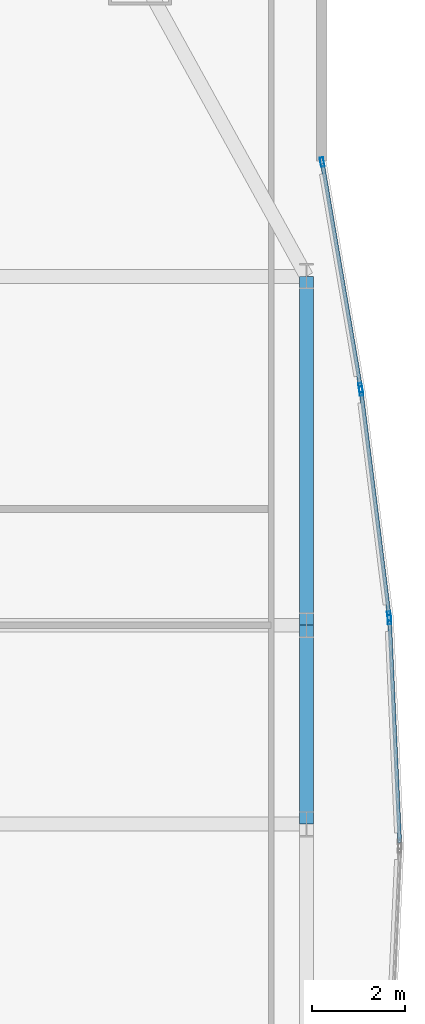
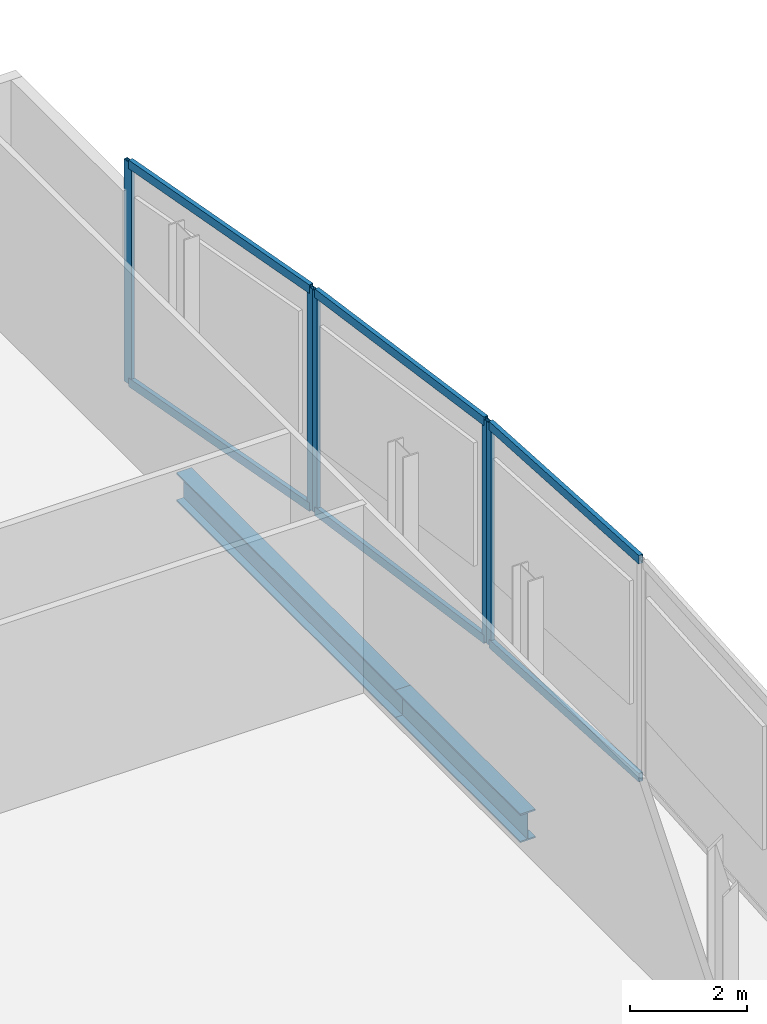
# One storey, part 22 of 30: 11 members, 2 beams, 3 elements without a shape of their own.
"""IFC4 building model written with IfcOpenShell, lengths in metres."""

from ifc_helpers import new_model, si_unit, direction, frame, origin, origin_2d, place, context, subcontext, project, spatial, hollow_rectangle, i_section, extrude, material, material_profile, profile_set, type_object, element, aggregate, save


model = new_model("IFC4")

# Units and contexts
model_context = context("Model", 3, precision=1e-05, world=origin(), true_north=direction((0.0, 1.0)))
body_context = subcontext(model_context, "Body", "Model", "MODEL_VIEW")
ifc_project = project(units=[si_unit("LENGTHUNIT", "METRE"), si_unit("AREAUNIT", "SQUARE_METRE"), si_unit("VOLUMEUNIT", "CUBIC_METRE"), si_unit("PLANEANGLEUNIT", "RADIAN"), si_unit("MASSUNIT", "GRAM", prefix="KILO")], contexts=[model_context])

# Site, building, storey
site_placement = place(None, origin())
site = spatial("IfcSite", under=ifc_project, at=site_placement, CompositionType="ELEMENT")
building_placement = place(site_placement, origin())
building = spatial("IfcBuilding", under=site, at=building_placement, Name="Khoronbel Lancet Exchange", CompositionType="ELEMENT")
storey_placement = place(building_placement, frame((0.0, 0.0, 172.199951171875)))
storey = spatial("IfcBuildingStorey", under=building, at=storey_placement, Name="L43", CompositionType="ELEMENT", Elevation=172.199951171875)

# Beams
ifc_material_1 = material(Name="Steel S355", Category="steel")
ifc_material_profile_1 = material_profile(ifc_material_1, i_section(OverallWidth=0.300048828125, OverallDepth=0.60009765625, WebThickness=0.015380859375, FlangeThickness=0.030029296875, at=origin_2d()), Name="HEB 600")
ifc_profile_set_1 = profile_set([ifc_material_profile_1], Name="Steel S355")
beam_type = type_object("IfcBeamType", Name="BM-BSP2", PredefinedType="SPANDREL", material=ifc_profile_set_1)
beam_1_placement = place(storey_placement, frame((67.6298828125, 31.425048828125, -0.52001953125), z_axis=(0.0, 1.0, 0.0), x_axis=(-1.0, 0.0, 0.0)))
element("IfcBeam", 1, at=beam_1_placement, inside=storey, type_object=beam_type, Name="Level L43 perimeter spandrel beam SP13", PredefinedType="SPANDREL", context=body_context, shape_type="SweptSolid", body=[
    extrude(i_section(OverallWidth=0.300048828125, OverallDepth=0.60009765625, WebThickness=0.015380859375, FlangeThickness=0.030029296875, at=origin_2d()), origin(), (0.0, 0.0, 1.0), 4.27490234375),
])
beam_2_placement = place(storey_placement, frame((67.6298828125, 35.699951171875, -0.52001953125), z_axis=(0.0, 1.0, 0.0), x_axis=(-1.0, 0.0, 0.0)))
element("IfcBeam", 2, at=beam_2_placement, inside=storey, type_object=beam_type, Name="Level L43 perimeter spandrel beam SP14", PredefinedType="SPANDREL", context=body_context, shape_type="SweptSolid", body=[
    extrude(i_section(OverallWidth=0.300048828125, OverallDepth=0.60009765625, WebThickness=0.015380859375, FlangeThickness=0.030029296875, at=origin_2d()), origin(), (0.0, 0.0, 1.0), 7.5),
])

# Curtain wall, members
ifc_material_2 = material(Name="Low-E Solar Control Insulating Glass", Category="glass")
curtain_wall_type = type_object("IfcCurtainWallType", Name="CW-4", PredefinedType="NOTDEFINED", material=ifc_material_2)
curtain_wall_1_placement = place(storey_placement, origin())
curtain_wall_1 = element("IfcCurtainWall", 3, at=curtain_wall_1_placement, inside=storey, type_object=curtain_wall_type, Name="Unitised curtain wall CW-L43-E17", PredefinedType="NOTDEFINED")
ifc_material_3 = material(Name="Bronze-Anodised Aluminium 6063-T6", Category="aluminium")
ifc_material_profile_2 = material_profile(ifc_material_3, hollow_rectangle(XDim=0.074951171875, YDim=0.199951171875, WallThickness=0.0048828125, at=origin_2d()), Name="ALU MULLION 75x200")
ifc_profile_set_2 = profile_set([ifc_material_profile_2], Name="Bronze-Anodised Aluminium 6063-T6")
member_type_1 = type_object("IfcMemberType", Name="MEM-CWM2", PredefinedType="MULLION", material=ifc_profile_set_2)
member_1_placement = place(storey_placement, frame((67.96630859375, 45.655517578125, 0.0), z_axis=(0.0, 0.0, 1.0), x_axis=(0.985785410135, 0.168009300828, 0.0)))
member_1 = element("IfcMember", 4, at=member_1_placement, type_object=member_type_1, Name="CW4 mullion 1", PredefinedType="MULLION", context=body_context, shape_type="SweptSolid", body=[
    extrude(hollow_rectangle(XDim=0.074951171875, YDim=0.199951171875, WallThickness=0.0048828125, at=origin_2d()), origin(), (0.0, 0.0, 1.0), 4.64013671875),
])
member_2_placement = place(storey_placement, frame((68.79248046875, 40.80712890625, 0.0), z_axis=(0.0, 0.0, 1.0), x_axis=(0.985785410135, 0.168009300828, 0.0)))
member_2 = element("IfcMember", 5, at=member_2_placement, type_object=member_type_1, Name="CW4 mullion 2", PredefinedType="MULLION", context=body_context, shape_type="SweptSolid", body=[
    extrude(hollow_rectangle(XDim=0.074951171875, YDim=0.199951171875, WallThickness=0.0048828125, at=origin_2d()), origin(), (0.0, 0.0, 1.0), 4.64013671875),
])

curtain_wall_2_placement = place(storey_placement, origin())
curtain_wall_2 = element("IfcCurtainWall", 6, at=curtain_wall_2_placement, inside=storey, type_object=curtain_wall_type, Name="Unitised curtain wall CW-L43-E18", PredefinedType="NOTDEFINED")
member_3_placement = place(storey_placement, frame((68.803466796875, 40.73291015625, 0.0), z_axis=(0.0, 0.0, 1.0), x_axis=(0.992302414475, 0.123838274483, 0.0)))
member_3 = element("IfcMember", 7, at=member_3_placement, type_object=member_type_1, Name="CW4 mullion 1", PredefinedType="MULLION", context=body_context, shape_type="SweptSolid", body=[
    extrude(hollow_rectangle(XDim=0.074951171875, YDim=0.199951171875, WallThickness=0.0048828125, at=origin_2d()), origin(), (0.0, 0.0, 1.0), 4.64013671875),
])
member_4_placement = place(storey_placement, frame((69.4072265625, 35.896240234375, 0.0), z_axis=(0.0, 0.0, 1.0), x_axis=(0.992302414475, 0.123838274483, 0.0)))
member_4 = element("IfcMember", 8, at=member_4_placement, type_object=member_type_1, Name="CW4 mullion 2", PredefinedType="MULLION", context=body_context, shape_type="SweptSolid", body=[
    extrude(hollow_rectangle(XDim=0.074951171875, YDim=0.199951171875, WallThickness=0.0048828125, at=origin_2d()), origin(), (0.0, 0.0, 1.0), 4.64013671875),
])

# Curtain wall, member
curtain_wall_3_placement = place(storey_placement, origin())
curtain_wall_3 = element("IfcCurtainWall", 9, at=curtain_wall_3_placement, inside=storey, type_object=curtain_wall_type, Name="Unitised curtain wall CW-L43-E19", PredefinedType="NOTDEFINED")
member_5_placement = place(storey_placement, frame((69.41357421875, 35.821533203125, 0.0), z_axis=(0.0, 0.0, 1.0), x_axis=(0.998959668299, 0.045602424407, 0.0)))
member_5 = element("IfcMember", 10, at=member_5_placement, type_object=member_type_1, Name="CW4 mullion 1", PredefinedType="MULLION", context=body_context, shape_type="SweptSolid", body=[
    extrude(hollow_rectangle(XDim=0.074951171875, YDim=0.199951171875, WallThickness=0.0048828125, at=origin_2d()), origin(), (0.0, 0.0, 1.0), 4.64013671875),
])

# Member
ifc_material_profile_3 = material_profile(ifc_material_3, hollow_rectangle(XDim=0.0849609375, YDim=0.179931640625, WallThickness=0.0048828125, at=origin_2d()), Name="ALU TRANSOM 85x180")
ifc_profile_set_3 = profile_set([ifc_material_profile_3], Name="Bronze-Anodised Aluminium 6063-T6")
member_type_2 = type_object("IfcMemberType", Name="MEM-CWT1", PredefinedType="USERDEFINED", material=ifc_profile_set_3)
member_6_placement = place(storey_placement, frame((67.97265625, 45.618408203125, 0.04248046875), z_axis=(0.168019284112, -0.985783708613, 0.0), x_axis=(0.985783708613, 0.168019284112, 0.0)))
member_6 = element("IfcMember", 11, at=member_6_placement, type_object=member_type_2, Name="CW4 transom 1.1", ObjectType="TRANSOM", PredefinedType="USERDEFINED", context=body_context, shape_type="SweptSolid", body=[
    extrude(hollow_rectangle(XDim=0.0849609375, YDim=0.179931640625, WallThickness=0.0048828125, at=origin_2d()), origin(), (0.0, 0.0, 1.0), 4.843017578125),
])

member_7_placement = place(storey_placement, frame((67.97265625, 45.618408203125, 4.59765625), z_axis=(0.168019284112, -0.985783708613, 0.0), x_axis=(0.985783708613, 0.168019284112, 0.0)))
member_7 = element("IfcMember", 12, at=member_7_placement, type_object=member_type_2, Name="CW4 transom 1.2", ObjectType="TRANSOM", PredefinedType="USERDEFINED", context=body_context, shape_type="SweptSolid", body=[
    extrude(hollow_rectangle(XDim=0.0849609375, YDim=0.179931640625, WallThickness=0.0048828125, at=origin_2d()), origin(), (0.0, 0.0, 1.0), 4.843017578125),
])

aggregate(curtain_wall_1, [member_1, member_2, member_6, member_7])

member_8_placement = place(storey_placement, frame((68.80810546875, 40.69580078125, 0.04248046875), z_axis=(0.123871944328, -0.992298211935, 0.0), x_axis=(0.992298211935, 0.123871944328, 0.0)))
member_8 = element("IfcMember", 13, at=member_8_placement, type_object=member_type_2, Name="CW4 transom 1.1", ObjectType="TRANSOM", PredefinedType="USERDEFINED", context=body_context, shape_type="SweptSolid", body=[
    extrude(hollow_rectangle(XDim=0.0849609375, YDim=0.179931640625, WallThickness=0.0048828125, at=origin_2d()), origin(), (0.0, 0.0, 1.0), 4.799072265625),
])

member_9_placement = place(storey_placement, frame((68.80810546875, 40.69580078125, 4.59765625), z_axis=(0.123871944328, -0.992298211935, 0.0), x_axis=(0.992298211935, 0.123871944328, 0.0)))
member_9 = element("IfcMember", 14, at=member_9_placement, type_object=member_type_2, Name="CW4 transom 1.2", ObjectType="TRANSOM", PredefinedType="USERDEFINED", context=body_context, shape_type="SweptSolid", body=[
    extrude(hollow_rectangle(XDim=0.0849609375, YDim=0.179931640625, WallThickness=0.0048828125, at=origin_2d()), origin(), (0.0, 0.0, 1.0), 4.799072265625),
])

aggregate(curtain_wall_2, [member_3, member_4, member_8, member_9])

member_10_placement = place(storey_placement, frame((69.415283203125, 35.7841796875, 0.04248046875), z_axis=(0.045607566219, -0.998959433563, 0.0), x_axis=(0.998959433563, 0.045607566219, 0.0)))
member_10 = element("IfcMember", 15, at=member_10_placement, type_object=member_type_2, Name="CW4 transom 1.1", ObjectType="TRANSOM", PredefinedType="USERDEFINED", context=body_context, shape_type="SweptSolid", body=[
    extrude(hollow_rectangle(XDim=0.0849609375, YDim=0.179931640625, WallThickness=0.0048828125, at=origin_2d()), origin(), (0.0, 0.0, 1.0), 4.76416015625),
])

member_11_placement = place(storey_placement, frame((69.415283203125, 35.7841796875, 4.59765625), z_axis=(0.045607566219, -0.998959433563, 0.0), x_axis=(0.998959433563, 0.045607566219, 0.0)))
member_11 = element("IfcMember", 16, at=member_11_placement, type_object=member_type_2, Name="CW4 transom 1.2", ObjectType="TRANSOM", PredefinedType="USERDEFINED", context=body_context, shape_type="SweptSolid", body=[
    extrude(hollow_rectangle(XDim=0.0849609375, YDim=0.179931640625, WallThickness=0.0048828125, at=origin_2d()), origin(), (0.0, 0.0, 1.0), 4.76416015625),
])

aggregate(curtain_wall_3, [member_5, member_10, member_11])

save(model, "model.ifc")
